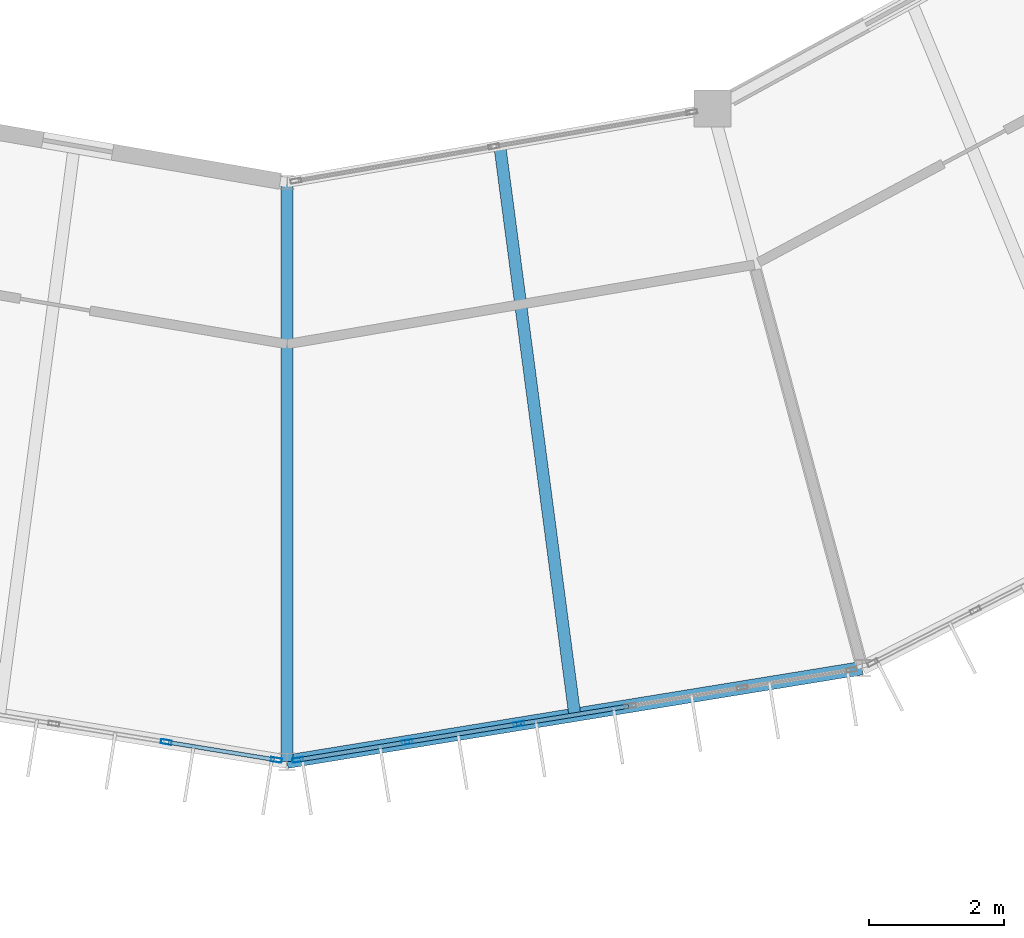
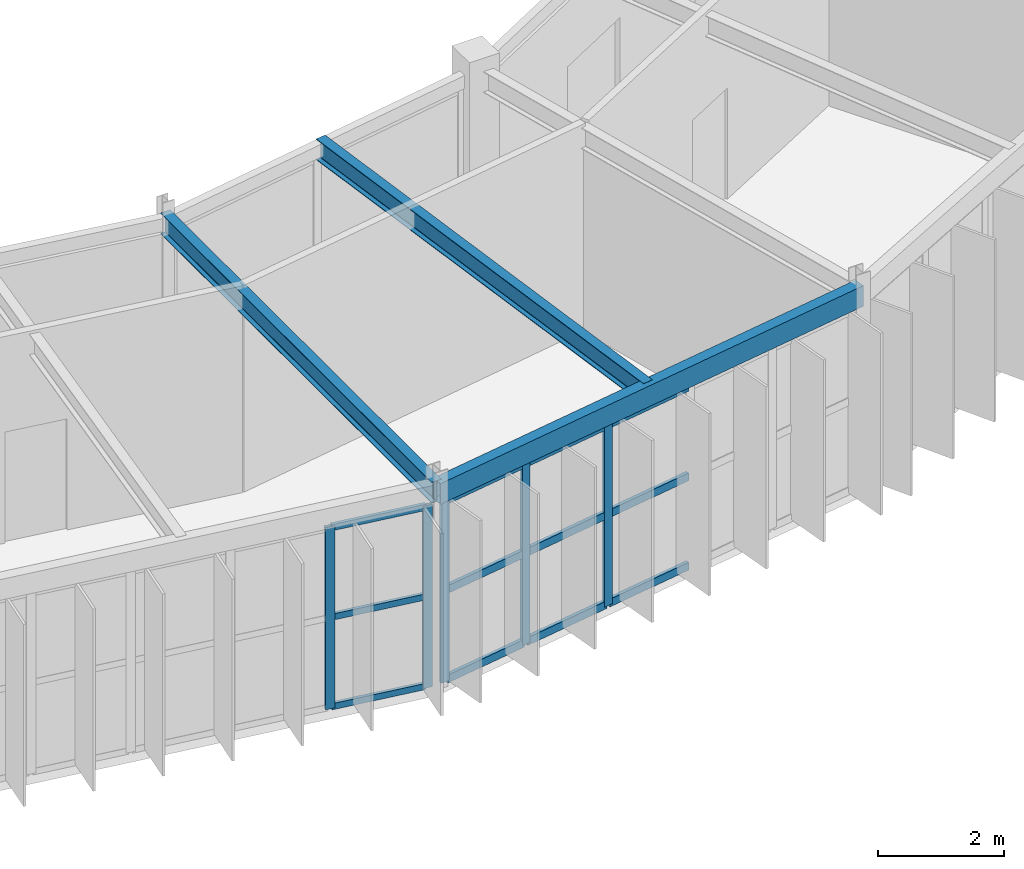
# One storey, part 20 of 106: 17 members, 3 beams, 2 elements without a shape of their own.
"""IFC4 building model written with IfcOpenShell, lengths in metres."""

import ifcopenshell
import ifcopenshell.guid

model = None  # the IFC model being written
_history = None  # IfcOwnerHistory: only IFC2X3 demands one
_inside = {}  # id of a spatial element -> (the spatial element, [elements in it])
_under = {}  # id of a project, library or spatial element -> (it, [spatial elements below it])
_declared = {}  # id of a project -> (the project, [libraries it declares])
_typed = {}  # id of a type object -> (the type object, [elements of that type])
_made_of = {}  # id of a material, layer set ... -> (it, [elements and type objects made of it])


def new_model(schema):
    """Start an empty IFC model of exactly this schema.

    Asked for "IFC4X3", IfcOpenShell would pick the latest addendum, in which some entities
    have other attributes; the version numbers below select the first issue.
    IFC2X3 requires an IfcOwnerHistory on every rooted entity: one is made here for all.
    """
    global model, _history
    if schema == "IFC4X3":
        model = ifcopenshell.file(schema_version=(4, 3, 0, 0))
    else:
        model = ifcopenshell.file(schema=schema)
    _inside.clear()
    _under.clear()
    _declared.clear()
    _typed.clear()
    _made_of.clear()
    _history = None
    if model.schema == "IFC2X3":
        org = make("IfcOrganization", Name="unknown")
        user = make(
            "IfcPersonAndOrganization",
            ThePerson=make("IfcPerson", FamilyName="unknown"),
            TheOrganization=org,
        )
        app = make(
            "IfcApplication",
            ApplicationDeveloper=org,
            Version="unknown",
            ApplicationFullName="unknown",
            ApplicationIdentifier="unknown",
        )
        _history = make(
            "IfcOwnerHistory",
            OwningUser=user,
            OwningApplication=app,
            ChangeAction="ADDED",
            CreationDate=0,
        )
    return model


def make(cls, **values):
    """One entity of the class cls with the attributes given. An attribute that is None is left unset."""
    return model.create_entity(
        cls, **{name: value for name, value in values.items() if value is not None}
    )


def rooted(cls, **values):
    """An entity with a GlobalId (a new one), such as an element, a storey or a relation."""
    return make(cls, GlobalId=ifcopenshell.guid.new(), OwnerHistory=_history, **values)


def si_unit(unit_type, name, prefix=None):
    """IfcSIUnit, for example si_unit("LENGTHUNIT", "METRE", prefix="MILLI")."""
    return make("IfcSIUnit", UnitType=unit_type, Prefix=prefix, Name=name)


def assignment(units):
    """IfcUnitAssignment: the units of a project."""
    return None if units is None else make("IfcUnitAssignment", Units=units)


def point(xyz):
    """IfcCartesianPoint."""
    return None if xyz is None else make("IfcCartesianPoint", Coordinates=xyz)


def direction(xyz):
    """IfcDirection."""
    return None if xyz is None else make("IfcDirection", DirectionRatios=xyz)


def frame(location, z_axis=None, x_axis=None):
    """IfcAxis2Placement3D, a coordinate frame: its origin and axes. An axis left out is left unset."""
    return make(
        "IfcAxis2Placement3D",
        Location=point(location),
        Axis=direction(z_axis),
        RefDirection=direction(x_axis),
    )


def frame_2d(location, x_axis=None):
    """IfcAxis2Placement2D, a coordinate frame in the plane: its origin and x axis."""
    return make(
        "IfcAxis2Placement2D", Location=point(location), RefDirection=direction(x_axis)
    )


def origin():
    """The frame at (0, 0, 0) with its axes left unset."""
    return frame((0.0, 0.0, 0.0))


def origin_2d():
    """The frame at (0, 0) in the plane with its x axis left unset."""
    return frame_2d((0.0, 0.0))


def place(relative_to, where):
    """IfcLocalPlacement: puts the frame where relative to a parent placement (None: the world)."""
    return make(
        "IfcLocalPlacement", PlacementRelTo=relative_to, RelativePlacement=where
    )


def context(
    kind, dimensions, precision=None, world=None, true_north=None, identifier=None
):
    """IfcGeometricRepresentationContext, for example the 3D "Model" context."""
    return make(
        "IfcGeometricRepresentationContext",
        ContextIdentifier=identifier,
        ContextType=kind,
        CoordinateSpaceDimension=dimensions,
        Precision=precision,
        WorldCoordinateSystem=world,
        TrueNorth=true_north,
    )


def subcontext(parent, identifier, kind, view, scale=None):
    """IfcGeometricRepresentationSubContext, for example "Body" below "Model"."""
    return make(
        "IfcGeometricRepresentationSubContext",
        ContextIdentifier=identifier,
        ContextType=kind,
        ParentContext=parent,
        TargetScale=scale,
        TargetView=view,
    )


def project(units=None, contexts=None):
    """IfcProject with its units and contexts."""
    return rooted(
        "IfcProject",
        Name="project",
        RepresentationContexts=contexts,
        UnitsInContext=assignment(units),
    )


def spatial(cls, under=None, at=None, **own):
    """A site, building, storey or space (cls), placed at a placement, below another one or the project."""
    s = rooted(cls, ObjectPlacement=at, **own)
    if under is not None:
        _under.setdefault(under.id(), (under, []))[1].append(s)
    return s


def profile(cls, at=None, kind="AREA", **sizes):
    """A parametric profile (cls). Its sizes go by their IFC names, for example OverallWidth=200.0."""
    return make(cls, ProfileType=kind, Position=at, **sizes)


def hollow_rectangle(**sizes):
    """IfcRectangleHollowProfileDef."""
    return profile("IfcRectangleHollowProfileDef", **sizes)


def i_section(**sizes):
    """IfcIShapeProfileDef."""
    return profile("IfcIShapeProfileDef", **sizes)


def extrude(swept, where, along, depth):
    """IfcExtrudedAreaSolid: the profile swept, set in the frame where, extruded along a direction by depth."""
    return make(
        "IfcExtrudedAreaSolid",
        SweptArea=swept,
        Position=where,
        ExtrudedDirection=direction(along),
        Depth=depth,
    )


def shape(context_of_items, identifier, shape_type, items):
    """IfcShapeRepresentation: the items that make up one representation, for example the "Body"."""
    return make(
        "IfcShapeRepresentation",
        ContextOfItems=context_of_items,
        RepresentationIdentifier=identifier,
        RepresentationType=shape_type,
        Items=items,
    )


def material(Name=None, Category=None):
    """IfcMaterial."""
    return make("IfcMaterial", Name=Name, Category=Category)


def material_profile(
    of_material, cross_section, Name=None, Category=None, Priority=None
):
    """IfcMaterialProfile: a cross section and its material."""
    return make(
        "IfcMaterialProfile",
        Name=Name,
        Material=of_material,
        Profile=cross_section,
        Priority=Priority,
        Category=Category,
    )


def profile_set(profiles, Name=None, composite=None):
    """IfcMaterialProfileSet."""
    return make(
        "IfcMaterialProfileSet",
        Name=Name,
        MaterialProfiles=profiles,
        CompositeProfile=composite,
    )


def made_of(thing, what):
    """Note that an element or type object is made of a material, layer set ...; save() writes the relation."""
    if what is not None:
        _made_of.setdefault(what.id(), (what, []))[1].append(thing)
    return thing


def type_object(cls, material=None, **own):
    """A type object (cls), such as IfcWallType, which elements share."""
    return made_of(rooted(cls, **own), material)


def element(
    cls,
    number,
    at=None,
    inside=None,
    cuts=None,
    type_object=None,
    material=None,
    context=None,
    identifier="Body",
    shape_type=None,
    held_by="IfcProductDefinitionShape",
    body=None,
    shapes=None,
    **own,
):
    """One element of the class cls, such as IfcWall. Its Tag is "e" and its number.

    at: its placement. inside: the storey or other place that contains it. cuts: it is an
    opening in that element (IfcRelVoidsElement). A single representation is given by context,
    identifier, shape_type and body (its items); several are given by shapes. held_by: the class
    of the entity that holds the representations. save() writes the other relations.
    """
    e = rooted(cls, Tag="e%d" % number, ObjectPlacement=at, **own)
    if body is not None:
        shapes = [shape(context, identifier, shape_type, body)]
    if shapes is not None:
        e.Representation = make(held_by, Representations=shapes)
    if inside is not None:
        _inside.setdefault(inside.id(), (inside, []))[1].append(e)
    if cuts is not None:
        rooted(
            "IfcRelVoidsElement", RelatingBuildingElement=cuts, RelatedOpeningElement=e
        )
    if type_object is not None:
        _typed.setdefault(type_object.id(), (type_object, []))[1].append(e)
    return made_of(e, material)


def aggregate(whole, parts):
    """IfcRelAggregates: a whole, such as a stair, and the parts it consists of."""
    return rooted("IfcRelAggregates", RelatingObject=whole, RelatedObjects=parts)


def save(model, path):
    """Write the relations noted so far, then the file.

    IfcRelAggregates (storeys below a building ...), IfcRelContainedInSpatialStructure (elements
    in a storey), IfcRelDefinesByType, IfcRelAssociatesMaterial and IfcRelDeclares: one each for
    every whole, place, type object, material and project.
    """
    for whole, parts in _under.values():
        aggregate(whole, parts)
    for where, things in _inside.values():
        rooted(
            "IfcRelContainedInSpatialStructure",
            RelatedElements=things,
            RelatingStructure=where,
        )
    for kind, things in _typed.values():
        rooted("IfcRelDefinesByType", RelatedObjects=things, RelatingType=kind)
    for what, things in _made_of.values():
        rooted("IfcRelAssociatesMaterial", RelatedObjects=things, RelatingMaterial=what)
    for by, libraries in _declared.values():
        rooted("IfcRelDeclares", RelatingContext=by, RelatedDefinitions=libraries)
    model.write(path)


model = new_model("IFC4")

# Units and contexts
model_context = context("Model", 3, precision=1e-05, world=origin(), true_north=direction((0.0, 1.0)))
body_context = subcontext(model_context, "Body", "Model", "MODEL_VIEW")
ifc_project = project(units=[si_unit("LENGTHUNIT", "METRE"), si_unit("AREAUNIT", "SQUARE_METRE"), si_unit("VOLUMEUNIT", "CUBIC_METRE"), si_unit("PLANEANGLEUNIT", "RADIAN"), si_unit("MASSUNIT", "GRAM", prefix="KILO")], contexts=[model_context])

# Site, building, storey
site_placement = place(None, origin())
site = spatial("IfcSite", under=ifc_project, at=site_placement, CompositionType="ELEMENT")
building_placement = place(site_placement, origin())
building = spatial("IfcBuilding", under=site, at=building_placement, Name="Karori Crest Natural Sciences Institute", CompositionType="ELEMENT")
storey_placement = place(building_placement, frame((0.0, 0.0, 25.89990234375)))
storey = spatial("IfcBuildingStorey", under=building, at=storey_placement, Name="L06", CompositionType="ELEMENT", Elevation=25.89990234375)

# Beams
ifc_material_1 = material(Name="Structural steel AS/NZS 3679.1 Grade 350", Category="steel")
ifc_material_profile_1 = material_profile(ifc_material_1, i_section(OverallWidth=0.177978515625, OverallDepth=0.406005859375, WebThickness=0.0078125, FlangeThickness=0.0126953125, FilletRadius=0.010986328125, at=origin_2d()), Name="410UB59.7")
ifc_profile_set_1 = profile_set([ifc_material_profile_1], Name="Structural steel AS/NZS 3679.1 Grade 350")
beam_type_1 = type_object("IfcBeamType", Name="BT-07", PredefinedType="BEAM", material=ifc_profile_set_1)
beam_1_placement = place(storey_placement, frame((66.39990234375, 17.699951171875, 3.739990234375), z_axis=(0.0, -1.0, 0.0), x_axis=(1.0, 0.0, 0.0)))
element("IfcBeam", 1, at=beam_1_placement, inside=storey, type_object=beam_type_1, Name="Beam B-0700", PredefinedType="BEAM", context=body_context, shape_type="SweptSolid", body=[
    extrude(i_section(OverallWidth=0.177978515625, OverallDepth=0.406005859375, WebThickness=0.0078125, FlangeThickness=0.0126953125, FilletRadius=0.010986328125, at=origin_2d()), origin(), (0.0, 0.0, 1.0), 8.599853515625),
])
beam_2_placement = place(storey_placement, frame((69.5576171875, 18.24853515625, 3.739990234375), z_axis=(0.130513027509, -0.991446594452, 0.0), x_axis=(0.991446594452, 0.130513027509, 0.0)))
element("IfcBeam", 2, at=beam_2_placement, inside=storey, type_object=beam_type_1, Name="Beam B-2899", PredefinedType="BEAM", context=body_context, shape_type="SweptSolid", body=[
    extrude(i_section(OverallWidth=0.177978515625, OverallDepth=0.406005859375, WebThickness=0.0078125, FlangeThickness=0.0126953125, FilletRadius=0.010986328125, at=origin_2d()), origin(), (0.0, 0.0, 1.0), 8.5263671875),
])
ifc_material_2 = material(Name="Hollow structural steel AS/NZS 1163 Grade C350", Category="steel")
ifc_material_profile_2 = material_profile(ifc_material_2, hollow_rectangle(XDim=0.199951171875, YDim=0.39990234375, WallThickness=0.012451171875, at=origin_2d()), Name="RHS400x200x12.5")
ifc_profile_set_2 = profile_set([ifc_material_profile_2], Name="Hollow structural steel AS/NZS 1163 Grade C350")
beam_type_2 = type_object("IfcBeamType", Name="BT-14", PredefinedType="SPANDREL", material=ifc_profile_set_2)
beam_3_placement = place(storey_placement, frame((66.39990234375, 9.10009765625, 3.739990234375), z_axis=(0.987012055933, 0.160646199591, 0.0), x_axis=(-0.160646199591, 0.987012055933, 0.0)))
element("IfcBeam", 3, at=beam_3_placement, inside=storey, type_object=beam_type_2, Name="Beam B-0698", PredefinedType="SPANDREL", context=body_context, shape_type="SweptSolid", body=[
    extrude(hollow_rectangle(XDim=0.199951171875, YDim=0.39990234375, WallThickness=0.012451171875, at=origin_2d()), origin(), (0.0, 0.0, 1.0), 8.6533203125),
])

# Curtain wall, members
ifc_material_3 = material(Name="Anodised architectural aluminium 6063-T6", Category="aluminium")
curtain_wall_type_1 = type_object("IfcCurtainWallType", Name="CWT-08", PredefinedType="NOTDEFINED", material=ifc_material_3)
curtain_wall_1_placement = place(storey_placement, origin())
curtain_wall_1 = element("IfcCurtainWall", 4, at=curtain_wall_1_placement, inside=storey, type_object=curtain_wall_type_1, Name="Curtain wall CW-0210", PredefinedType="NOTDEFINED")
ifc_material_profile_3 = material_profile(ifc_material_3, hollow_rectangle(XDim=0.06494140625, YDim=0.159912109375, WallThickness=0.00390625, at=origin_2d()), Name="CWM160x65x4")
ifc_profile_set_3 = profile_set([ifc_material_profile_3], Name="Anodised architectural aluminium 6063-T6")
member_type_1 = type_object("IfcMemberType", Name="CWM-01", PredefinedType="MULLION", material=ifc_profile_set_3)
member_1_placement = place(storey_placement, frame((66.241943359375, 9.125732421875, 0.0), z_axis=(0.0, 0.0, 1.0), x_axis=(-0.160655493101, -0.987010543275, 0.0)))
member_1 = element("IfcMember", 5, at=member_1_placement, type_object=member_type_1, Name="CW-0210 mullion 1", PredefinedType="MULLION", context=body_context, shape_type="SweptSolid", body=[
    extrude(hollow_rectangle(XDim=0.06494140625, YDim=0.159912109375, WallThickness=0.00390625, at=origin_2d()), origin(), (0.0, 0.0, 1.0), 3.525146484375),
])
member_2_placement = place(storey_placement, frame((64.60595703125, 9.39208984375, 0.0), z_axis=(0.0, 0.0, 1.0), x_axis=(-0.160655493101, -0.987010543275, 0.0)))
member_2 = element("IfcMember", 6, at=member_2_placement, type_object=member_type_1, Name="CW-0210 mullion 2", PredefinedType="MULLION", context=body_context, shape_type="SweptSolid", body=[
    extrude(hollow_rectangle(XDim=0.06494140625, YDim=0.159912109375, WallThickness=0.00390625, at=origin_2d()), origin(), (0.0, 0.0, 1.0), 3.525146484375),
])

curtain_wall_type_2 = type_object("IfcCurtainWallType", Name="CWT-09", PredefinedType="NOTDEFINED", material=ifc_material_3)
curtain_wall_2_placement = place(storey_placement, origin())
curtain_wall_2 = element("IfcCurtainWall", 7, at=curtain_wall_2_placement, inside=storey, type_object=curtain_wall_type_2, Name="Curtain wall CW-0211", PredefinedType="NOTDEFINED")
member_3_placement = place(storey_placement, frame((69.842041015625, 9.66015625, 0.0), z_axis=(0.0, 0.0, 1.0), x_axis=(0.160650246484, -0.987011397252, 0.0)))
member_3 = element("IfcMember", 8, at=member_3_placement, type_object=member_type_1, Name="CW-0211 mullion 4", PredefinedType="MULLION", context=body_context, shape_type="SweptSolid", body=[
    extrude(hollow_rectangle(XDim=0.06494140625, YDim=0.159912109375, WallThickness=0.00390625, at=origin_2d()), origin(), (0.0, 0.0, 1.0), 3.525146484375),
])
member_4_placement = place(storey_placement, frame((68.18408203125, 9.390380859375, 0.0), z_axis=(0.0, 0.0, 1.0), x_axis=(0.160650246484, -0.987011397252, 0.0)))
member_4 = element("IfcMember", 9, at=member_4_placement, type_object=member_type_1, Name="CW-0211 mullion 5", PredefinedType="MULLION", context=body_context, shape_type="SweptSolid", body=[
    extrude(hollow_rectangle(XDim=0.06494140625, YDim=0.159912109375, WallThickness=0.00390625, at=origin_2d()), origin(), (0.0, 0.0, 1.0), 3.525146484375),
])
member_5_placement = place(storey_placement, frame((66.55810546875, 9.125732421875, 0.0), z_axis=(0.0, 0.0, 1.0), x_axis=(0.160650246484, -0.987011397252, 0.0)))
member_5 = element("IfcMember", 10, at=member_5_placement, type_object=member_type_1, Name="CW-0211 mullion 6", PredefinedType="MULLION", context=body_context, shape_type="SweptSolid", body=[
    extrude(hollow_rectangle(XDim=0.06494140625, YDim=0.159912109375, WallThickness=0.00390625, at=origin_2d()), origin(), (0.0, 0.0, 1.0), 3.525146484375),
])

# Member
ifc_material_profile_4 = material_profile(ifc_material_3, hollow_rectangle(XDim=0.06005859375, YDim=0.1201171875, WallThickness=0.00390625, at=origin_2d()), Name="CWT120x60x4")
ifc_profile_set_4 = profile_set([ifc_material_profile_4], Name="Anodised architectural aluminium 6063-T6")
member_type_2 = type_object("IfcMemberType", Name="CWT-TR1", PredefinedType="USERDEFINED", material=ifc_profile_set_4)
member_6_placement = place(storey_placement, frame((66.2099609375, 9.130859375, 0.030029296875), z_axis=(-0.987008400747, 0.16066865548, 0.0), x_axis=(-0.16066865548, -0.987008400747, 0.0)))
member_6 = element("IfcMember", 11, at=member_6_placement, type_object=member_type_2, Name="CW-0210 transom 1.1", ObjectType="TRANSOM", PredefinedType="USERDEFINED", context=body_context, shape_type="SweptSolid", body=[
    extrude(hollow_rectangle(XDim=0.06005859375, YDim=0.1201171875, WallThickness=0.00390625, at=origin_2d()), origin(), (0.0, 0.0, 1.0), 1.592529296875),
])

member_7_placement = place(storey_placement, frame((66.2099609375, 9.130859375, 1.7626953125), z_axis=(-0.987008400747, 0.16066865548, 0.0), x_axis=(-0.16066865548, -0.987008400747, 0.0)))
member_7 = element("IfcMember", 12, at=member_7_placement, type_object=member_type_2, Name="CW-0210 transom 1.2", ObjectType="TRANSOM", PredefinedType="USERDEFINED", context=body_context, shape_type="SweptSolid", body=[
    extrude(hollow_rectangle(XDim=0.06005859375, YDim=0.1201171875, WallThickness=0.00390625, at=origin_2d()), origin(), (0.0, 0.0, 1.0), 1.592529296875),
])

member_8_placement = place(storey_placement, frame((66.2099609375, 9.130859375, 3.4951171875), z_axis=(-0.987008400747, 0.16066865548, 0.0), x_axis=(-0.16066865548, -0.987008400747, 0.0)))
member_8 = element("IfcMember", 13, at=member_8_placement, type_object=member_type_2, Name="CW-0210 transom 1.3", ObjectType="TRANSOM", PredefinedType="USERDEFINED", context=body_context, shape_type="SweptSolid", body=[
    extrude(hollow_rectangle(XDim=0.06005859375, YDim=0.1201171875, WallThickness=0.00390625, at=origin_2d()), origin(), (0.0, 0.0, 1.0), 1.592529296875),
])

aggregate(curtain_wall_1, [member_1, member_2, member_6, member_7, member_8])

ifc_material_profile_5 = material_profile(ifc_material_3, hollow_rectangle(XDim=0.06494140625, YDim=0.14990234375, WallThickness=0.00390625, at=origin_2d()), Name="CWT150x65x4")
ifc_profile_set_5 = profile_set([ifc_material_profile_5], Name="Anodised architectural aluminium 6063-T6")
member_type_3 = type_object("IfcMemberType", Name="CWT-TR2", PredefinedType="USERDEFINED", material=ifc_profile_set_5)
member_9_placement = place(storey_placement, frame((71.4677734375, 9.9248046875, 0.03271484375), z_axis=(-0.987023993607, -0.160572837195, 0.0), x_axis=(0.160572837195, -0.987023993607, 0.0)))
member_9 = element("IfcMember", 14, at=member_9_placement, type_object=member_type_3, Name="CW-0211 transom 3.1", ObjectType="TRANSOM", PredefinedType="USERDEFINED", context=body_context, shape_type="SweptSolid", body=[
    extrude(hollow_rectangle(XDim=0.06494140625, YDim=0.14990234375, WallThickness=0.00390625, at=origin_2d()), origin(), (0.0, 0.0, 1.0), 1.61474609375),
])

member_10_placement = place(storey_placement, frame((71.4677734375, 9.9248046875, 1.7626953125), z_axis=(-0.987023993607, -0.160572837195, 0.0), x_axis=(0.160572837195, -0.987023993607, 0.0)))
member_10 = element("IfcMember", 15, at=member_10_placement, type_object=member_type_3, Name="CW-0211 transom 3.2", ObjectType="TRANSOM", PredefinedType="USERDEFINED", context=body_context, shape_type="SweptSolid", body=[
    extrude(hollow_rectangle(XDim=0.06494140625, YDim=0.14990234375, WallThickness=0.00390625, at=origin_2d()), origin(), (0.0, 0.0, 1.0), 1.61474609375),
])

member_11_placement = place(storey_placement, frame((71.4677734375, 9.9248046875, 3.49267578125), z_axis=(-0.987023993607, -0.160572837195, 0.0), x_axis=(0.160572837195, -0.987023993607, 0.0)))
member_11 = element("IfcMember", 16, at=member_11_placement, type_object=member_type_3, Name="CW-0211 transom 3.3", ObjectType="TRANSOM", PredefinedType="USERDEFINED", context=body_context, shape_type="SweptSolid", body=[
    extrude(hollow_rectangle(XDim=0.06494140625, YDim=0.14990234375, WallThickness=0.00390625, at=origin_2d()), origin(), (0.0, 0.0, 1.0), 1.61474609375),
])

member_12_placement = place(storey_placement, frame((69.809814453125, 9.655029296875, 0.03271484375), z_axis=(-0.987000019858, -0.16072013191, 0.0), x_axis=(0.16072013191, -0.987000019858, 0.0)))
member_12 = element("IfcMember", 17, at=member_12_placement, type_object=member_type_3, Name="CW-0211 transom 4.1", ObjectType="TRANSOM", PredefinedType="USERDEFINED", context=body_context, shape_type="SweptSolid", body=[
    extrude(hollow_rectangle(XDim=0.06494140625, YDim=0.14990234375, WallThickness=0.00390625, at=origin_2d()), origin(), (0.0, 0.0, 1.0), 1.61474609375),
])

member_13_placement = place(storey_placement, frame((69.809814453125, 9.655029296875, 1.7626953125), z_axis=(-0.987000019858, -0.16072013191, 0.0), x_axis=(0.16072013191, -0.987000019858, 0.0)))
member_13 = element("IfcMember", 18, at=member_13_placement, type_object=member_type_3, Name="CW-0211 transom 4.2", ObjectType="TRANSOM", PredefinedType="USERDEFINED", context=body_context, shape_type="SweptSolid", body=[
    extrude(hollow_rectangle(XDim=0.06494140625, YDim=0.14990234375, WallThickness=0.00390625, at=origin_2d()), origin(), (0.0, 0.0, 1.0), 1.61474609375),
])

member_14_placement = place(storey_placement, frame((69.809814453125, 9.655029296875, 3.49267578125), z_axis=(-0.987000019858, -0.16072013191, 0.0), x_axis=(0.16072013191, -0.987000019858, 0.0)))
member_14 = element("IfcMember", 19, at=member_14_placement, type_object=member_type_3, Name="CW-0211 transom 4.3", ObjectType="TRANSOM", PredefinedType="USERDEFINED", context=body_context, shape_type="SweptSolid", body=[
    extrude(hollow_rectangle(XDim=0.06494140625, YDim=0.14990234375, WallThickness=0.00390625, at=origin_2d()), origin(), (0.0, 0.0, 1.0), 1.61474609375),
])

member_15_placement = place(storey_placement, frame((68.15185546875, 9.38525390625, 0.03271484375), z_axis=(-0.98699190147, -0.160769979886, 0.0), x_axis=(0.160769979886, -0.98699190147, 0.0)))
member_15 = element("IfcMember", 20, at=member_15_placement, type_object=member_type_3, Name="CW-0211 transom 5.1", ObjectType="TRANSOM", PredefinedType="USERDEFINED", context=body_context, shape_type="SweptSolid", body=[
    extrude(hollow_rectangle(XDim=0.06494140625, YDim=0.14990234375, WallThickness=0.00390625, at=origin_2d()), origin(), (0.0, 0.0, 1.0), 1.582275390625),
])

member_16_placement = place(storey_placement, frame((68.15185546875, 9.38525390625, 1.7626953125), z_axis=(-0.98699190147, -0.160769979886, 0.0), x_axis=(0.160769979886, -0.98699190147, 0.0)))
member_16 = element("IfcMember", 21, at=member_16_placement, type_object=member_type_3, Name="CW-0211 transom 5.2", ObjectType="TRANSOM", PredefinedType="USERDEFINED", context=body_context, shape_type="SweptSolid", body=[
    extrude(hollow_rectangle(XDim=0.06494140625, YDim=0.14990234375, WallThickness=0.00390625, at=origin_2d()), origin(), (0.0, 0.0, 1.0), 1.582275390625),
])

member_17_placement = place(storey_placement, frame((68.15185546875, 9.38525390625, 3.49267578125), z_axis=(-0.98699190147, -0.160769979886, 0.0), x_axis=(0.160769979886, -0.98699190147, 0.0)))
member_17 = element("IfcMember", 22, at=member_17_placement, type_object=member_type_3, Name="CW-0211 transom 5.3", ObjectType="TRANSOM", PredefinedType="USERDEFINED", context=body_context, shape_type="SweptSolid", body=[
    extrude(hollow_rectangle(XDim=0.06494140625, YDim=0.14990234375, WallThickness=0.00390625, at=origin_2d()), origin(), (0.0, 0.0, 1.0), 1.582275390625),
])

aggregate(curtain_wall_2, [member_3, member_4, member_5, member_9, member_10, member_11, member_12, member_13, member_14, member_15, member_16, member_17])

save(model, "model.ifc")
